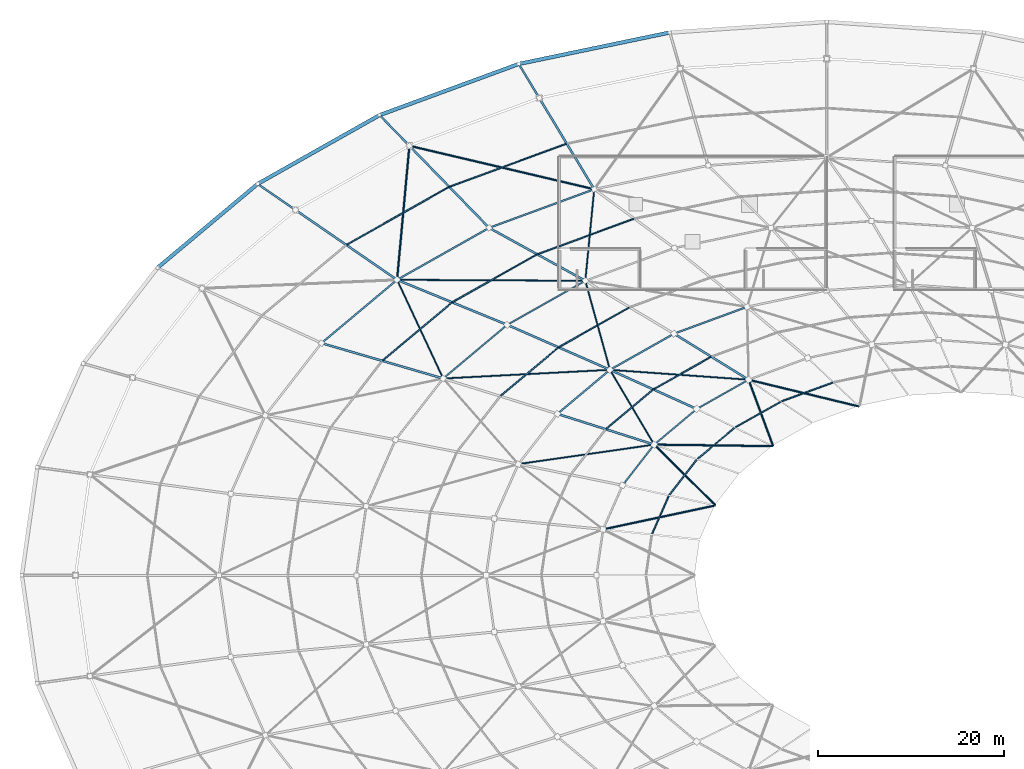
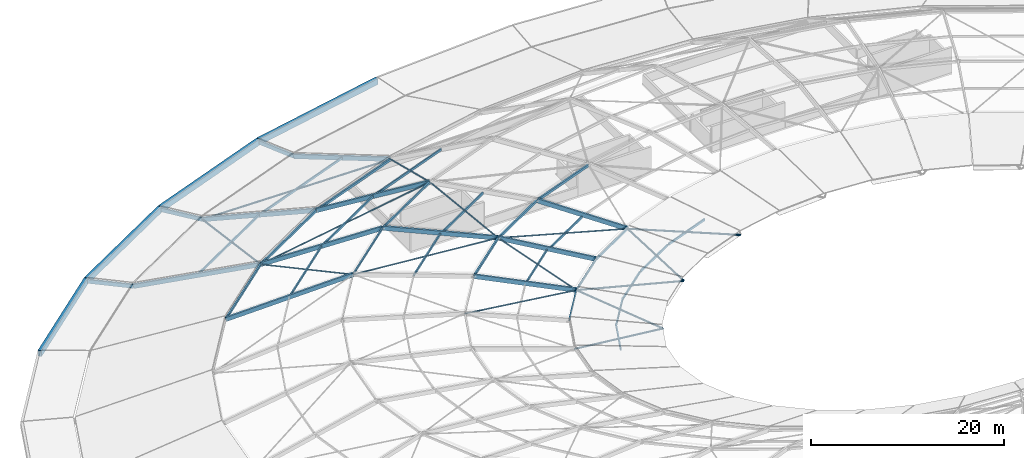
# One storey, part 6 of 30: 53 members, 4 beams.
"""IFC4 building model written with IfcOpenShell, lengths in metres."""

from ifc_helpers import new_model, si_unit, direction, frame, origin, origin_2d, place, context, subcontext, project, spatial, rectangle, hollow_rectangle, hollow_circle, extrude, material, material_profile, profile_set, type_object, element, save


model = new_model("IFC4")

# Units and contexts
model_context = context("Model", 3, precision=1e-05, world=origin(), true_north=direction((0.0, 1.0)))
body_context = subcontext(model_context, "Body", "Model", "MODEL_VIEW")
ifc_project = project(units=[si_unit("LENGTHUNIT", "METRE"), si_unit("AREAUNIT", "SQUARE_METRE"), si_unit("VOLUMEUNIT", "CUBIC_METRE"), si_unit("PLANEANGLEUNIT", "RADIAN"), si_unit("MASSUNIT", "GRAM", prefix="KILO")], contexts=[model_context])

# Site, building, storey
site_placement = place(None, origin())
site = spatial("IfcSite", under=ifc_project, at=site_placement, CompositionType="ELEMENT")
building_placement = place(site_placement, origin())
building = spatial("IfcBuilding", under=site, at=building_placement, Name="Namkhue Oval Health Centre", CompositionType="ELEMENT")
storey_placement = place(building_placement, frame((0.0, 0.0, 26.39990234375)))
storey = spatial("IfcBuildingStorey", under=building, at=storey_placement, Name="RF", CompositionType="ELEMENT", Elevation=26.39990234375)

# Beams
ifc_material_1 = material(Name="Precast architectural concrete C35/45 (TCVN B40)", Category="concrete")
ifc_material_profile_1 = material_profile(ifc_material_1, rectangle(XDim=0.39990234375, YDim=0.75, at=origin_2d()), Name="RC 400x750")
ifc_profile_set_1 = profile_set([ifc_material_profile_1], Name="Precast architectural concrete C35/45 (TCVN B40)")
beam_type = type_object("IfcBeamType", Name="CONCRETE EDGE BAND 400X750", PredefinedType="SPANDREL", material=ifc_profile_set_1)
beam_1_placement = place(storey_placement, frame((69.5048828125, 117.650390625, 0.7001953125), z_axis=(-0.978938856567, -0.204153655619, 0.0), x_axis=(0.204153655619, -0.978938856567, 0.0)))
element("IfcBeam", 1, at=beam_1_placement, inside=storey, type_object=beam_type, Name="Elliptical Roof Concrete Fascia Band 10", PredefinedType="SPANDREL", context=body_context, shape_type="SweptSolid", body=[
    extrude(rectangle(XDim=0.39990234375, YDim=0.75, at=origin_2d()), origin(), (0.0, 0.0, 1.0), 16.4765625),
])
beam_2_placement = place(storey_placement, frame((53.298583984375, 114.2646484375, 0.7001953125), z_axis=(-0.938627892991, -0.344931411297, 0.0), x_axis=(0.344931411297, -0.938627892991, 0.0)))
element("IfcBeam", 2, at=beam_2_placement, inside=storey, type_object=beam_type, Name="Elliptical Roof Concrete Fascia Band 11", PredefinedType="SPANDREL", context=body_context, shape_type="SweptSolid", body=[
    extrude(rectangle(XDim=0.39990234375, YDim=0.75, at=origin_2d()), origin(), (0.0, 0.0, 1.0), 15.833984375),
])
beam_3_placement = place(storey_placement, frame((38.364013671875, 108.76953125, 0.7001953125), z_axis=(-0.870942993464, -0.491384067849, 0.0), x_axis=(0.491384067849, -0.870942993464, 0.0)))
element("IfcBeam", 3, at=beam_3_placement, inside=storey, type_object=beam_type, Name="Elliptical Roof Concrete Fascia Band 12", PredefinedType="SPANDREL", context=body_context, shape_type="SweptSolid", body=[
    extrude(rectangle(XDim=0.39990234375, YDim=0.75, at=origin_2d()), origin(), (0.0, 0.0, 1.0), 14.952880859375),
])
beam_4_placement = place(storey_placement, frame((25.275390625, 101.37646484375, 0.7001953125), z_axis=(-0.766561731965, -0.642170624591, 0.0), x_axis=(0.642170624591, -0.766561731965, 0.0)))
element("IfcBeam", 4, at=beam_4_placement, inside=storey, type_object=beam_type, Name="Elliptical Roof Concrete Fascia Band 13", PredefinedType="SPANDREL", context=body_context, shape_type="SweptSolid", body=[
    extrude(rectangle(XDim=0.39990234375, YDim=0.75, at=origin_2d()), origin(), (0.0, 0.0, 1.0), 13.93701171875),
])

# Members
ifc_material_2 = material(Name="Structural steel EN 10025-2 S355JR (TCVN 5575:2024)", Category="steel")
ifc_material_profile_2 = material_profile(ifc_material_2, hollow_circle(Radius=0.084228515625, WallThickness=0.008056640625, at=origin_2d()), Name="CHS 168.3x8")
ifc_profile_set_2 = profile_set([ifc_material_profile_2], Name="Structural steel EN 10025-2 S355JR (TCVN 5575:2024)")
member_type_1 = type_object("IfcMemberType", Name="DIAGONAL BRACE CHS 168", PredefinedType="BRACE", material=ifc_profile_set_2)
member_1_placement = place(storey_placement, frame((61.43408203125, 100.804931640625, 3.789794921875), z_axis=(-0.091730699509, -0.941015852808, 0.325691024641), x_axis=(0.995282370952, -0.097020627042, 0.0)))
element("IfcMember", 5, at=member_1_placement, inside=storey, type_object=member_type_1, Name="Gridshell Diagonal Brace K2-11", PredefinedType="BRACE", context=body_context, shape_type="SweptSolid", body=[
    extrude(hollow_circle(Radius=0.084228515625, WallThickness=0.008056640625, at=origin_2d()), origin(), (0.0, 0.0, 1.0), 10.3798828125),
])
member_2_placement = place(storey_placement, frame((40.3037109375, 91.111572265625, 3.78515625), z_axis=(0.986124560537, -0.00500722498, 0.165931548548), x_axis=(0.005077614564, 0.999987108832, 0.0)))
element("IfcMember", 6, at=member_2_placement, inside=storey, type_object=member_type_1, Name="Gridshell Diagonal Brace K2-12", PredefinedType="BRACE", context=body_context, shape_type="SweptSolid", body=[
    extrude(hollow_circle(Radius=0.084228515625, WallThickness=0.008056640625, at=origin_2d()), origin(), (0.0, 0.0, 1.0), 20.429443359375),
])
member_3_placement = place(storey_placement, frame((40.2861328125, 91.08544921875, 3.78857421875), z_axis=(0.406515465719, -0.86992133198, 0.279252667483), x_axis=(0.905962649367, 0.423357624181, 0.0)))
element("IfcMember", 7, at=member_3_placement, inside=storey, type_object=member_type_1, Name="Gridshell Diagonal Brace K2-13", PredefinedType="BRACE", context=body_context, shape_type="SweptSolid", body=[
    extrude(hollow_circle(Radius=0.084228515625, WallThickness=0.008056640625, at=origin_2d()), origin(), (0.0, 0.0, 1.0), 12.11474609375),
])
member_4_placement = place(storey_placement, frame((60.487060546875, 90.98095703125, 7.173583984375), z_axis=(0.260516530536, -0.940866957629, -0.216565245039), x_axis=(0.963738252264, 0.266849360358, 0.0)))
element("IfcMember", 8, at=member_4_placement, inside=storey, type_object=member_type_1, Name="Gridshell Diagonal Brace K3-12", PredefinedType="BRACE", context=body_context, shape_type="SweptSolid", body=[
    extrude(hollow_circle(Radius=0.084228515625, WallThickness=0.008056640625, at=origin_2d()), origin(), (0.0, 0.0, 1.0), 10.0986328125),
])
member_5_placement = place(storey_placement, frame((45.252685546875, 80.522216796875, 7.176513671875), z_axis=(0.991216082885, 0.051523272568, -0.121803240571), x_axis=(-0.051909778984, 0.998651778572, 0.0)))
element("IfcMember", 9, at=member_5_placement, inside=storey, type_object=member_type_1, Name="Gridshell Diagonal Brace K3-13", PredefinedType="BRACE", context=body_context, shape_type="SweptSolid", body=[
    extrude(hollow_circle(Radius=0.084228515625, WallThickness=0.008056640625, at=origin_2d()), origin(), (0.0, 0.0, 1.0), 18.00146484375),
])
member_6_placement = place(storey_placement, frame((63.15478515625, 81.448974609375, 4.973388671875), z_axis=(0.972510561713, -0.069343701808, -0.222294080837), x_axis=(0.071123229027, 0.997467536461, 0.0)))
element("IfcMember", 10, at=member_6_placement, inside=storey, type_object=member_type_1, Name="Gridshell Diagonal Brace K4-12", PredefinedType="BRACE", context=body_context, shape_type="SweptSolid", body=[
    extrude(hollow_circle(Radius=0.084228515625, WallThickness=0.008056640625, at=origin_2d()), origin(), (0.0, 0.0, 1.0), 15.234130859375),
])
member_7_placement = place(storey_placement, frame((63.139892578125, 81.427001953125, 4.9697265625), z_axis=(0.477955197991, -0.808803464412, -0.342630682614), x_axis=(0.860914463664, 0.508749728505, 0.0)))
element("IfcMember", 11, at=member_7_placement, inside=storey, type_object=member_type_1, Name="Gridshell Diagonal Brace K4-13", PredefinedType="BRACE", context=body_context, shape_type="SweptSolid", body=[
    extrude(hollow_circle(Radius=0.084228515625, WallThickness=0.008056640625, at=origin_2d()), origin(), (0.0, 0.0, 1.0), 9.863037109375),
])
member_8_placement = place(storey_placement, frame((53.32177734375, 71.338134765625, 4.973388671875), z_axis=(0.964486507247, 0.138383904479, -0.224979270866), x_axis=(-0.142024919211, 0.989863082615, 0.0)))
element("IfcMember", 12, at=member_8_placement, inside=storey, type_object=member_type_1, Name="Gridshell Diagonal Brace K4-14", PredefinedType="BRACE", context=body_context, shape_type="SweptSolid", body=[
    extrude(hollow_circle(Radius=0.084228515625, WallThickness=0.008056640625, at=origin_2d()), origin(), (0.0, 0.0, 1.0), 15.052490234375),
])
ifc_material_profile_3 = material_profile(ifc_material_2, hollow_circle(Radius=0.109619140625, WallThickness=0.010009765625, at=origin_2d()), Name="CHS 219.1x10")
ifc_profile_set_3 = profile_set([ifc_material_profile_3], Name="Structural steel EN 10025-2 S355JR (TCVN 5575:2024)")
member_type_2 = type_object("IfcMemberType", Name="DIAGONAL BRACE CHS 219", PredefinedType="BRACE", material=ifc_profile_set_3)
member_9_placement = place(storey_placement, frame((41.627685546875, 105.489990234375, 0.28515625), z_axis=(0.959417449288, -0.225537703519, 0.169265774131), x_axis=(0.228839759926, 0.973464105284, 0.0)))
element("IfcMember", 13, at=member_9_placement, inside=storey, type_object=member_type_2, Name="Gridshell Diagonal Brace K1-11", PredefinedType="BRACE", context=body_context, shape_type="SweptSolid", body=[
    extrude(hollow_circle(Radius=0.109619140625, WallThickness=0.010009765625, at=origin_2d()), origin(), (0.0, 0.0, 1.0), 20.616943359375),
])
member_10_placement = place(storey_placement, frame((41.59619140625, 105.467529296875, 0.287109375), z_axis=(-0.089137916452, -0.967785448877, 0.235469226847), x_axis=(0.995785129154, -0.091716828095, 0.0)))
element("IfcMember", 14, at=member_10_placement, inside=storey, type_object=member_type_2, Name="Gridshell Diagonal Brace K1-12", PredefinedType="BRACE", context=body_context, shape_type="SweptSolid", body=[
    extrude(hollow_circle(Radius=0.109619140625, WallThickness=0.010009765625, at=origin_2d()), origin(), (0.0, 0.0, 1.0), 14.8037109375),
])
member_11_placement = place(storey_placement, frame((78.027587890625, 80.383544921875, 1.572509765625), z_axis=(0.940246185244, -0.227806201067, -0.253064114189), x_axis=(0.235470894085, 0.971881401221, 0.0)))
element("IfcMember", 15, at=member_11_placement, inside=storey, type_object=member_type_2, Name="Gridshell Diagonal Brace K5-11", PredefinedType="BRACE", context=body_context, shape_type="SweptSolid", body=[
    extrude(hollow_circle(Radius=0.109619140625, WallThickness=0.010009765625, at=origin_2d()), origin(), (0.0, 0.0, 1.0), 12.5849609375),
])
member_12_placement = place(storey_placement, frame((78.009033203125, 80.364501953125, 1.568603515625), z_axis=(0.319994309193, -0.86433942214, -0.387970366676), x_axis=(0.937795186464, 0.347188980591, 0.0)))
element("IfcMember", 16, at=member_12_placement, inside=storey, type_object=member_type_2, Name="Gridshell Diagonal Brace K5-12", PredefinedType="BRACE", context=body_context, shape_type="SweptSolid", body=[
    extrude(hollow_circle(Radius=0.109619140625, WallThickness=0.010009765625, at=origin_2d()), origin(), (0.0, 0.0, 1.0), 8.188720703125),
])
member_13_placement = place(storey_placement, frame((67.8974609375, 73.425048828125, 1.57275390625), z_axis=(0.96993705469, -0.012517720391, -0.243033776696), x_axis=(0.012904629226, 0.999916731805, 0.0)))
element("IfcMember", 17, at=member_13_placement, inside=storey, type_object=member_type_2, Name="Gridshell Diagonal Brace K5-13", PredefinedType="BRACE", context=body_context, shape_type="SweptSolid", body=[
    extrude(hollow_circle(Radius=0.109619140625, WallThickness=0.010009765625, at=origin_2d()), origin(), (0.0, 0.0, 1.0), 13.1064453125),
])
member_14_placement = place(storey_placement, frame((67.888671875, 73.405517578125, 1.5703125), z_axis=(0.671773589143, -0.665062614308, -0.326208467058), x_axis=(0.703548210003, 0.71064753303, 0.0)))
element("IfcMember", 18, at=member_14_placement, inside=storey, type_object=member_type_2, Name="Gridshell Diagonal Brace K5-14", PredefinedType="BRACE", context=body_context, shape_type="SweptSolid", body=[
    extrude(hollow_circle(Radius=0.109619140625, WallThickness=0.010009765625, at=origin_2d()), origin(), (0.0, 0.0, 1.0), 9.749755859375),
])
member_15_placement = place(storey_placement, frame((62.4140625, 64.3310546875, 1.572509765625), z_axis=(0.946691185803, 0.202025672522, -0.250921155674), x_axis=(-0.20870258417, 0.977979156915, 0.0)))
element("IfcMember", 19, at=member_15_placement, inside=storey, type_object=member_type_2, Name="Gridshell Diagonal Brace K5-15", PredefinedType="BRACE", context=body_context, shape_type="SweptSolid", body=[
    extrude(hollow_circle(Radius=0.109619140625, WallThickness=0.010009765625, at=origin_2d()), origin(), (0.0, 0.0, 1.0), 12.6923828125),
])
ifc_material_3 = material(Name="Glulam timber GL28h", Category="wood")
ifc_material_profile_4 = material_profile(ifc_material_3, rectangle(XDim=0.219970703125, YDim=0.52001953125, at=origin_2d()), Name="GL28h 220x520")
ifc_profile_set_4 = profile_set([ifc_material_profile_4], Name="Glulam timber GL28h")
member_type_3 = type_object("IfcMemberType", Name="GRIDSHELL ARCH RIB GL28H 220X520", PredefinedType="USERDEFINED", material=ifc_profile_set_4)
member_16_placement = place(storey_placement, frame((55.54052734375, 110.619873046875, 0.300048828125), z_axis=(0.493424598626, -0.818989626124, 0.292896155269), x_axis=(0.856554457361, 0.516056645705, 0.0)))
element("IfcMember", 20, at=member_16_placement, inside=storey, type_object=member_type_3, Name="Gridshell Glulam Arch Rib K1-11", ObjectType="ARCH_SEGMENT", PredefinedType="USERDEFINED", context=body_context, shape_type="SweptSolid", body=[
    extrude(rectangle(XDim=0.219970703125, YDim=0.52001953125, at=origin_2d()), origin(), (0.0, 0.0, 1.0), 11.94970703125),
])
member_17_placement = place(storey_placement, frame((41.598876953125, 105.49658203125, 0.300048828125), z_axis=(0.670272584485, -0.689657000681, 0.274058176122), x_axis=(0.717113024377, 0.696956892691, 0.0)))
element("IfcMember", 21, at=member_17_placement, inside=storey, type_object=member_type_3, Name="Gridshell Glulam Arch Rib K1-12", ObjectType="ARCH_SEGMENT", PredefinedType="USERDEFINED", context=body_context, shape_type="SweptSolid", body=[
    extrude(rectangle(XDim=0.219970703125, YDim=0.52001953125, at=origin_2d()), origin(), (0.0, 0.0, 1.0), 12.77099609375),
])
member_18_placement = place(storey_placement, frame((50.158935546875, 96.68896484375, 3.800048828125), z_axis=(0.84172048426, -0.463252911296, 0.27731456246), x_axis=(0.482163769529, 0.876081103182, 0.0)))
element("IfcMember", 22, at=member_18_placement, inside=storey, type_object=member_type_3, Name="Gridshell Glulam Arch Rib K2-12", ObjectType="ARCH_SEGMENT", PredefinedType="USERDEFINED", context=body_context, shape_type="SweptSolid", body=[
    extrude(rectangle(XDim=0.219970703125, YDim=0.52001953125, at=origin_2d()), origin(), (0.0, 0.0, 1.0), 12.260986328125),
])
member_19_placement = place(storey_placement, frame((69.999267578125, 85.329345703125, 5.0), z_axis=(0.800198011908, -0.494003655311, -0.340064009089), x_axis=(0.525310986388, 0.850910317002, 0.0)))
element("IfcMember", 23, at=member_19_placement, inside=storey, type_object=member_type_3, Name="Gridshell Glulam Arch Rib K4-12", ObjectType="ARCH_SEGMENT", PredefinedType="USERDEFINED", context=body_context, shape_type="SweptSolid", body=[
    extrude(rectangle(XDim=0.219970703125, YDim=0.52001953125, at=origin_2d()), origin(), (0.0, 0.0, 1.0), 9.997802734375),
])
member_20_placement = place(storey_placement, frame((29.37890625, 98.60205078125, 0.300048828125), z_axis=(0.796597676248, -0.547672059001, 0.255905173816), x_axis=(0.566536659632, 0.824036536382, 0.0)))
element("IfcMember", 24, at=member_20_placement, inside=storey, type_object=member_type_3, Name="Gridshell Glulam Arch Rib K1-13", ObjectType="ARCH_SEGMENT", PredefinedType="USERDEFINED", context=body_context, shape_type="SweptSolid", body=[
    extrude(rectangle(XDim=0.219970703125, YDim=0.52001953125, at=origin_2d()), origin(), (0.0, 0.0, 1.0), 13.677001953125),
])
member_21_placement = place(storey_placement, frame((40.27392578125, 91.111572265625, 3.800048828125), z_axis=(0.8946066577, -0.365403759834, 0.257213958211), x_axis=(0.378126006195, 0.925754137684, 0.0)))
element("IfcMember", 25, at=member_21_placement, inside=storey, type_object=member_type_3, Name="Gridshell Glulam Arch Rib K2-13", ObjectType="ARCH_SEGMENT", PredefinedType="USERDEFINED", context=body_context, shape_type="SweptSolid", body=[
    extrude(rectangle(XDim=0.219970703125, YDim=0.52001953125, at=origin_2d()), origin(), (0.0, 0.0, 1.0), 13.21923828125),
])
member_22_placement = place(storey_placement, frame((52.099853515625, 86.28125, 7.2001953125), z_axis=(0.901038919509, -0.394715778388, -0.179800778146), x_axis=(0.4012550134, 0.915966382692, 0.0)))
element("IfcMember", 26, at=member_22_placement, inside=storey, type_object=member_type_3, Name="Gridshell Glulam Arch Rib K3-13", ObjectType="ARCH_SEGMENT", PredefinedType="USERDEFINED", context=body_context, shape_type="SweptSolid", body=[
    extrude(rectangle(XDim=0.219970703125, YDim=0.52001953125, at=origin_2d()), origin(), (0.0, 0.0, 1.0), 12.23681640625),
])
member_23_placement = place(storey_placement, frame((63.125732421875, 81.451171875, 5.0), z_axis=(0.864854389801, -0.390206260579, -0.315857497374), x_axis=(0.411260043784, 0.91151806147, 0.0)))
element("IfcMember", 27, at=member_23_placement, inside=storey, type_object=member_type_3, Name="Gridshell Glulam Arch Rib K4-13", ObjectType="ARCH_SEGMENT", PredefinedType="USERDEFINED", context=body_context, shape_type="SweptSolid", body=[
    extrude(rectangle(XDim=0.219970703125, YDim=0.52001953125, at=origin_2d()), origin(), (0.0, 0.0, 1.0), 10.76416015625),
])
member_24_placement = place(storey_placement, frame((32.16162109375, 84.315673828125, 3.800048828125), z_axis=(0.931617810783, -0.270691567638, 0.242516658893), x_axis=(0.279021117685, 0.960284965979, 0.0)))
element("IfcMember", 28, at=member_24_placement, inside=storey, type_object=member_type_3, Name="Gridshell Glulam Arch Rib K2-14", ObjectType="ARCH_SEGMENT", PredefinedType="USERDEFINED", context=body_context, shape_type="SweptSolid", body=[
    extrude(rectangle(XDim=0.219970703125, YDim=0.52001953125, at=origin_2d()), origin(), (0.0, 0.0, 1.0), 14.020263671875),
])
member_25_placement = place(storey_placement, frame((57.484619140625, 76.725341796875, 5.0), z_axis=(0.909764726323, -0.289130297322, -0.297878857773), x_axis=(0.302879931583, 0.953028723095, 0.0)))
element("IfcMember", 29, at=member_25_placement, inside=storey, type_object=member_type_3, Name="Gridshell Glulam Arch Rib K4-14", ObjectType="ARCH_SEGMENT", PredefinedType="USERDEFINED", context=body_context, shape_type="SweptSolid", body=[
    extrude(rectangle(XDim=0.219970703125, YDim=0.52001953125, at=origin_2d()), origin(), (0.0, 0.0, 1.0), 11.413818359375),
])
ifc_material_profile_5 = material_profile(ifc_material_3, rectangle(XDim=0.199951171875, YDim=0.47998046875, at=origin_2d()), Name="GL28h 200x480")
ifc_profile_set_5 = profile_set([ifc_material_profile_5], Name="Glulam timber GL28h")
member_type_4 = type_object("IfcMemberType", Name="GRIDSHELL CANTILEVER RIB GL28H 200X480", PredefinedType="USERDEFINED", material=ifc_profile_set_5)
member_26_placement = place(storey_placement, frame((53.336181640625, 114.278564453125, 0.7001953125), z_axis=(0.513817025595, -0.852814480626, -0.093271248749), x_axis=(0.856548401679, 0.516066696834, 0.0)))
element("IfcMember", 30, at=member_26_placement, inside=storey, type_object=member_type_4, Name="Gridshell Glulam Arch Rib K0-11", ObjectType="ARCH_SEGMENT", PredefinedType="USERDEFINED", context=body_context, shape_type="SweptSolid", body=[
    extrude(rectangle(XDim=0.199951171875, YDim=0.47998046875, at=origin_2d()), origin(), (0.0, 0.0, 1.0), 4.2900390625),
])
member_27_placement = place(storey_placement, frame((38.398681640625, 108.789306640625, 0.7001953125), z_axis=(0.694327625131, -0.714403164491, -0.086817438022), x_axis=(0.717110804188, 0.696959177081, 0.0)))
element("IfcMember", 31, at=member_27_placement, inside=storey, type_object=member_type_4, Name="Gridshell Glulam Arch Rib K0-12", ObjectType="ARCH_SEGMENT", PredefinedType="USERDEFINED", context=body_context, shape_type="SweptSolid", body=[
    extrude(rectangle(XDim=0.199951171875, YDim=0.47998046875, at=origin_2d()), origin(), (0.0, 0.0, 1.0), 4.609130859375),
])
member_28_placement = place(storey_placement, frame((25.305908203125, 101.402099609375, 0.7001953125), z_axis=(0.821367573853, -0.564662513009, -0.08069420689), x_axis=(0.566509955726, 0.824054895054, 0.0)))
element("IfcMember", 32, at=member_28_placement, inside=storey, type_object=member_type_4, Name="Gridshell Glulam Arch Rib K0-13", ObjectType="ARCH_SEGMENT", PredefinedType="USERDEFINED", context=body_context, shape_type="SweptSolid", body=[
    extrude(rectangle(XDim=0.199951171875, YDim=0.47998046875, at=origin_2d()), origin(), (0.0, 0.0, 1.0), 4.958740234375),
])
ifc_material_profile_6 = material_profile(ifc_material_2, hollow_rectangle(XDim=0.14990234375, YDim=0.25, WallThickness=0.008056640625, at=origin_2d()), Name="RHS 150x250x8")
ifc_profile_set_6 = profile_set([ifc_material_profile_6], Name="Structural steel EN 10025-2 S355JR (TCVN 5575:2024)")
member_type_5 = type_object("IfcMemberType", Name="GRIDSHELL HOOP PURLIN RHS 150X250", PredefinedType="PURLIN", material=ifc_profile_set_6)
member_29_placement = place(storey_placement, frame((60.427001953125, 90.979736328125, 7.2001953125), z_axis=(-0.870931096403, -0.491405153939, 0.0), x_axis=(0.491405153939, -0.870931096403, 0.0)))
element("IfcMember", 33, at=member_29_placement, inside=storey, type_object=member_type_5, Name="Gridshell Hoop Purlin K3-12", PredefinedType="PURLIN", context=body_context, shape_type="SweptSolid", body=[
    extrude(hollow_rectangle(XDim=0.14990234375, YDim=0.25, WallThickness=0.008056640625, at=origin_2d()), origin(), (0.0, 0.0, 1.0), 9.501220703125),
])
member_30_placement = place(storey_placement, frame((52.0537109375, 86.242919921875, 7.2001953125), z_axis=(-0.766554610647, -0.642179125242, 0.0), x_axis=(0.642179125242, -0.766554610647, 0.0)))
element("IfcMember", 34, at=member_30_placement, inside=storey, type_object=member_type_5, Name="Gridshell Hoop Purlin K3-13", PredefinedType="PURLIN", context=body_context, shape_type="SweptSolid", body=[
    extrude(hollow_rectangle(XDim=0.14990234375, YDim=0.25, WallThickness=0.008056640625, at=origin_2d()), origin(), (0.0, 0.0, 1.0), 8.850830078125),
])
member_31_placement = place(storey_placement, frame((77.947265625, 80.361083984375, 1.593505859375), z_axis=(-0.870938297401, -0.491392391191, 0.0), x_axis=(0.491392391191, -0.870938297401, 0.0)))
element("IfcMember", 35, at=member_31_placement, inside=storey, type_object=member_type_5, Name="Gridshell Hoop Purlin K5-12", PredefinedType="PURLIN", context=body_context, shape_type="SweptSolid", body=[
    extrude(hollow_rectangle(XDim=0.14990234375, YDim=0.25, WallThickness=0.008056640625, at=origin_2d()), origin(), (0.0, 0.0, 1.0), 6.26904296875),
])
member_32_placement = place(storey_placement, frame((72.388916015625, 77.21240234375, 1.60009765625), z_axis=(-0.766559432201, -0.642173369818, 0.0), x_axis=(0.642173369818, -0.766559432201, 0.0)))
element("IfcMember", 36, at=member_32_placement, inside=storey, type_object=member_type_5, Name="Gridshell Hoop Purlin K5-13", PredefinedType="PURLIN", context=body_context, shape_type="SweptSolid", body=[
    extrude(hollow_rectangle(XDim=0.14990234375, YDim=0.25, WallThickness=0.008056640625, at=origin_2d()), origin(), (0.0, 0.0, 1.0), 5.837158203125),
])
member_33_placement = place(storey_placement, frame((67.83154296875, 73.3779296875, 1.60009765625), z_axis=(-0.613784343626, -0.789473735801, 0.0), x_axis=(0.789473735801, -0.613784343626, 0.0)))
element("IfcMember", 37, at=member_33_placement, inside=storey, type_object=member_type_5, Name="Gridshell Hoop Purlin K5-14", PredefinedType="PURLIN", context=body_context, shape_type="SweptSolid", body=[
    extrude(hollow_rectangle(XDim=0.14990234375, YDim=0.25, WallThickness=0.008056640625, at=origin_2d()), origin(), (0.0, 0.0, 1.0), 5.408447265625),
])
ifc_material_profile_7 = material_profile(ifc_material_2, hollow_rectangle(XDim=0.179931640625, YDim=0.300048828125, WallThickness=0.010009765625, at=origin_2d()), Name="RHS 180x300x10")
ifc_profile_set_7 = profile_set([ifc_material_profile_7], Name="Structural steel EN 10025-2 S355JR (TCVN 5575:2024)")
member_type_6 = type_object("IfcMemberType", Name="GRIDSHELL HOOP PURLIN RHS 180X300", PredefinedType="PURLIN", material=ifc_profile_set_7)
member_34_placement = place(storey_placement, frame((61.380615234375, 100.8125, 3.773193359375), z_axis=(-0.938635726109, -0.344910095057, 0.0), x_axis=(0.344910095057, -0.938635726109, 0.0)))
element("IfcMember", 38, at=member_34_placement, inside=storey, type_object=member_type_6, Name="Gridshell Hoop Purlin K2-11", PredefinedType="PURLIN", context=body_context, shape_type="SweptSolid", body=[
    extrude(hollow_rectangle(XDim=0.179931640625, YDim=0.300048828125, WallThickness=0.010009765625, at=origin_2d()), origin(), (0.0, 0.0, 1.0), 11.895263671875),
])
member_35_placement = place(storey_placement, frame((50.106689453125, 96.659423828125, 3.779541015625), z_axis=(-0.870931469201, -0.491404493219, 0.0), x_axis=(0.491404493219, -0.870931469201, 0.0)))
element("IfcMember", 39, at=member_35_placement, inside=storey, type_object=member_type_6, Name="Gridshell Hoop Purlin K2-12", PredefinedType="PURLIN", context=body_context, shape_type="SweptSolid", body=[
    extrude(hollow_rectangle(XDim=0.179931640625, YDim=0.300048828125, WallThickness=0.010009765625, at=origin_2d()), origin(), (0.0, 0.0, 1.0), 11.229736328125),
])
member_36_placement = place(storey_placement, frame((40.22802734375, 91.072998046875, 3.78515625), z_axis=(-0.766573876706, -0.642156127084, 0.0), x_axis=(0.642156127084, -0.766573876706, 0.0)))
element("IfcMember", 40, at=member_36_placement, inside=storey, type_object=member_type_6, Name="Gridshell Hoop Purlin K2-13", PredefinedType="PURLIN", context=body_context, shape_type="SweptSolid", body=[
    extrude(hollow_rectangle(XDim=0.179931640625, YDim=0.300048828125, WallThickness=0.010009765625, at=origin_2d()), origin(), (0.0, 0.0, 1.0), 10.462890625),
])
member_37_placement = place(storey_placement, frame((77.78515625, 88.1904296875, 4.957275390625), z_axis=(-0.938633328907, -0.344916618714, 0.0), x_axis=(0.344916618714, -0.938633328907, 0.0)))
element("IfcMember", 41, at=member_37_placement, inside=storey, type_object=member_type_6, Name="Gridshell Hoop Purlin K4-11", PredefinedType="PURLIN", context=body_context, shape_type="SweptSolid", body=[
    extrude(hollow_rectangle(XDim=0.179931640625, YDim=0.300048828125, WallThickness=0.010009765625, at=origin_2d()), origin(), (0.0, 0.0, 1.0), 8.23486328125),
])
member_38_placement = place(storey_placement, frame((69.947021484375, 85.2998046875, 4.96533203125), z_axis=(-0.870942274449, -0.491385342249, 0.0), x_axis=(0.491385342249, -0.870942274449, 0.0)))
element("IfcMember", 42, at=member_38_placement, inside=storey, type_object=member_type_6, Name="Gridshell Hoop Purlin K4-12", PredefinedType="PURLIN", context=body_context, shape_type="SweptSolid", body=[
    extrude(hollow_rectangle(XDim=0.179931640625, YDim=0.300048828125, WallThickness=0.010009765625, at=origin_2d()), origin(), (0.0, 0.0, 1.0), 7.77197265625),
])
member_39_placement = place(storey_placement, frame((63.07958984375, 81.41259765625, 4.97265625), z_axis=(-0.766557274507, -0.642175945439, 0.0), x_axis=(0.642175945439, -0.766557274507, 0.0)))
element("IfcMember", 43, at=member_39_placement, inside=storey, type_object=member_type_6, Name="Gridshell Hoop Purlin K4-13", PredefinedType="PURLIN", context=body_context, shape_type="SweptSolid", body=[
    extrude(hollow_rectangle(XDim=0.179931640625, YDim=0.300048828125, WallThickness=0.010009765625, at=origin_2d()), origin(), (0.0, 0.0, 1.0), 7.239013671875),
])
ifc_material_profile_8 = material_profile(ifc_material_3, rectangle(XDim=0.139892578125, YDim=0.280029296875, at=origin_2d()), Name="GL28h 140x280")
ifc_profile_set_8 = profile_set([ifc_material_profile_8], Name="Glulam timber GL28h")
member_type_7 = type_object("IfcMemberType", Name="GRIDSHELL SUB PURLIN GL28H 140X280", PredefinedType="PURLIN", material=ifc_profile_set_8)
member_40_placement = place(storey_placement, frame((58.41357421875, 105.698974609375, 2.0498046875), z_axis=(-0.938629175366, -0.344927921676, 0.0), x_axis=(0.344927921676, -0.938629175366, 0.0)))
element("IfcMember", 44, at=member_40_placement, inside=storey, type_object=member_type_7, Name="Gridshell Secondary Purlin K1-11", PredefinedType="PURLIN", context=body_context, shape_type="SweptSolid", body=[
    extrude(rectangle(XDim=0.139892578125, YDim=0.280029296875, at=origin_2d()), origin(), (0.0, 0.0, 1.0), 13.274169921875),
])
member_41_placement = place(storey_placement, frame((45.809326171875, 101.053466796875, 2.050048828125), z_axis=(-0.870936348874, -0.491395844723, 0.0), x_axis=(0.491395844723, -0.870936348874, 0.0)))
element("IfcMember", 45, at=member_41_placement, inside=storey, type_object=member_type_7, Name="Gridshell Secondary Purlin K1-12", PredefinedType="PURLIN", context=body_context, shape_type="SweptSolid", body=[
    extrude(rectangle(XDim=0.139892578125, YDim=0.280029296875, at=origin_2d()), origin(), (0.0, 0.0, 1.0), 12.530517578125),
])
member_42_placement = place(storey_placement, frame((65.662841796875, 97.650146484375, 5.48876953125), z_axis=(-0.938630836886, -0.344923400259, 0.0), x_axis=(0.344923400259, -0.938630836886, 0.0)))
element("IfcMember", 46, at=member_42_placement, inside=storey, type_object=member_type_7, Name="Gridshell Secondary Purlin K2-11", PredefinedType="PURLIN", context=body_context, shape_type="SweptSolid", body=[
    extrude(rectangle(XDim=0.139892578125, YDim=0.280029296875, at=origin_2d()), origin(), (0.0, 0.0, 1.0), 10.93994140625),
])
member_43_placement = place(storey_placement, frame((55.24951171875, 93.809814453125, 5.4951171875), z_axis=(-0.870935138225, -0.491397990437, 0.0), x_axis=(0.491397990437, -0.870935138225, 0.0)))
element("IfcMember", 47, at=member_43_placement, inside=storey, type_object=member_type_7, Name="Gridshell Secondary Purlin K2-12", PredefinedType="PURLIN", context=body_context, shape_type="SweptSolid", body=[
    extrude(rectangle(XDim=0.139892578125, YDim=0.280029296875, at=origin_2d()), origin(), (0.0, 0.0, 1.0), 10.32568359375),
])
member_44_placement = place(storey_placement, frame((46.12548828125, 88.64501953125, 5.5), z_axis=(-0.766564389317, -0.642167452485, 0.0), x_axis=(0.642167452485, -0.766564389317, 0.0)))
element("IfcMember", 48, at=member_44_placement, inside=storey, type_object=member_type_7, Name="Gridshell Secondary Purlin K2-13", PredefinedType="PURLIN", context=body_context, shape_type="SweptSolid", body=[
    extrude(rectangle(XDim=0.139892578125, YDim=0.280029296875, at=origin_2d()), origin(), (0.0, 0.0, 1.0), 9.61669921875),
])
member_45_placement = place(storey_placement, frame((65.169677734375, 88.1298828125, 5.927001953125), z_axis=(-0.870940760361, -0.491388025842, 0.0), x_axis=(0.491388025842, -0.870940760361, 0.0)))
element("IfcMember", 49, at=member_45_placement, inside=storey, type_object=member_type_7, Name="Gridshell Secondary Purlin K3-12", PredefinedType="PURLIN", context=body_context, shape_type="SweptSolid", body=[
    extrude(rectangle(XDim=0.139892578125, YDim=0.280029296875, at=origin_2d()), origin(), (0.0, 0.0, 1.0), 8.5966796875),
])
member_46_placement = place(storey_placement, frame((57.551513671875, 83.81494140625, 6.022705078125), z_axis=(-0.766566330887, -0.642165134798, 0.0), x_axis=(0.642165134798, -0.766566330887, 0.0)))
element("IfcMember", 50, at=member_46_placement, inside=storey, type_object=member_type_7, Name="Gridshell Secondary Purlin K3-13", PredefinedType="PURLIN", context=body_context, shape_type="SweptSolid", body=[
    extrude(rectangle(XDim=0.139892578125, YDim=0.280029296875, at=origin_2d()), origin(), (0.0, 0.0, 1.0), 8.005126953125),
])
member_47_placement = place(storey_placement, frame((73.9296875, 82.820556640625, 3.01611328125), z_axis=(-0.870937786057, -0.49139329749, 0.0), x_axis=(0.49139329749, -0.870937786057, 0.0)))
element("IfcMember", 51, at=member_47_placement, inside=storey, type_object=member_type_7, Name="Gridshell Secondary Purlin K4-12", PredefinedType="PURLIN", context=body_context, shape_type="SweptSolid", body=[
    extrude(rectangle(XDim=0.139892578125, YDim=0.280029296875, at=origin_2d()), origin(), (0.0, 0.0, 1.0), 6.98046875),
])
member_48_placement = place(storey_placement, frame((67.718994140625, 79.299560546875, 3.158203125), z_axis=(-0.766564968144, -0.642166761531, 0.0), x_axis=(0.642166761531, -0.766564968144, 0.0)))
element("IfcMember", 52, at=member_48_placement, inside=storey, type_object=member_type_7, Name="Gridshell Secondary Purlin K4-13", PredefinedType="PURLIN", context=body_context, shape_type="SweptSolid", body=[
    extrude(rectangle(XDim=0.139892578125, YDim=0.280029296875, at=origin_2d()), origin(), (0.0, 0.0, 1.0), 6.498046875),
])
member_49_placement = place(storey_placement, frame((87.043212890625, 80.089111328125, -0.224365234375), z_axis=(-0.938620107393, -0.344952596739, 0.0), x_axis=(0.344952596739, -0.938620107393, 0.0)))
element("IfcMember", 53, at=member_49_placement, inside=storey, type_object=member_type_7, Name="Gridshell Secondary Purlin K5-11", PredefinedType="PURLIN", context=body_context, shape_type="SweptSolid", body=[
    extrude(rectangle(XDim=0.139892578125, YDim=0.280029296875, at=origin_2d()), origin(), (0.0, 0.0, 1.0), 5.847412109375),
])
member_50_placement = place(storey_placement, frame((81.409912109375, 78.005126953125, -0.236328125), z_axis=(-0.870943492116, -0.491383184024, 0.0), x_axis=(0.491383184024, -0.870943492116, 0.0)))
element("IfcMember", 54, at=member_50_placement, inside=storey, type_object=member_type_7, Name="Gridshell Secondary Purlin K5-12", PredefinedType="PURLIN", context=body_context, shape_type="SweptSolid", body=[
    extrude(rectangle(XDim=0.139892578125, YDim=0.280029296875, at=origin_2d()), origin(), (0.0, 0.0, 1.0), 5.514892578125),
])
member_51_placement = place(storey_placement, frame((76.4755859375, 75.204345703125, -0.22119140625), z_axis=(-0.766573018358, -0.642157151736, 0.0), x_axis=(0.642157151736, -0.766573018358, 0.0)))
element("IfcMember", 55, at=member_51_placement, inside=storey, type_object=member_type_7, Name="Gridshell Secondary Purlin K5-13", PredefinedType="PURLIN", context=body_context, shape_type="SweptSolid", body=[
    extrude(rectangle(XDim=0.139892578125, YDim=0.280029296875, at=origin_2d()), origin(), (0.0, 0.0, 1.0), 5.13134765625),
])
member_52_placement = place(storey_placement, frame((72.431640625, 71.794677734375, -0.112548828125), z_axis=(-0.613773378425, -0.789482260685, 0.0), x_axis=(0.789482260685, -0.613773378425, 0.0)))
element("IfcMember", 56, at=member_52_placement, inside=storey, type_object=member_type_7, Name="Gridshell Secondary Purlin K5-14", PredefinedType="PURLIN", context=body_context, shape_type="SweptSolid", body=[
    extrude(rectangle(XDim=0.139892578125, YDim=0.280029296875, at=origin_2d()), origin(), (0.0, 0.0, 1.0), 4.75048828125),
])
member_53_placement = place(storey_placement, frame((69.4345703125, 67.907958984375, -0.01171875), z_axis=(-0.403697092719, -0.914892702633, 0.0), x_axis=(0.914892702633, -0.403697092719, 0.0)))
element("IfcMember", 57, at=member_53_placement, inside=storey, type_object=member_type_7, Name="Gridshell Secondary Purlin K5-15", PredefinedType="PURLIN", context=body_context, shape_type="SweptSolid", body=[
    extrude(rectangle(XDim=0.139892578125, YDim=0.280029296875, at=origin_2d()), origin(), (0.0, 0.0, 1.0), 4.437744140625),
])

save(model, "model.ifc")
